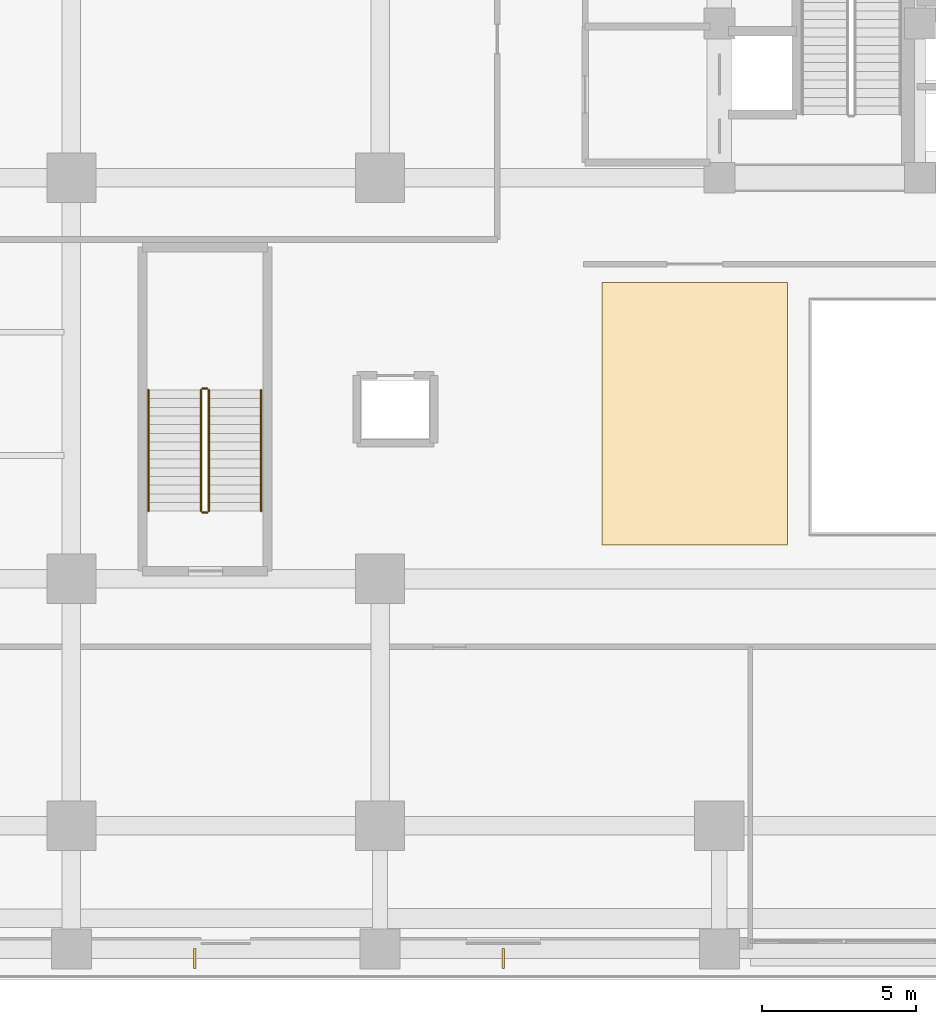
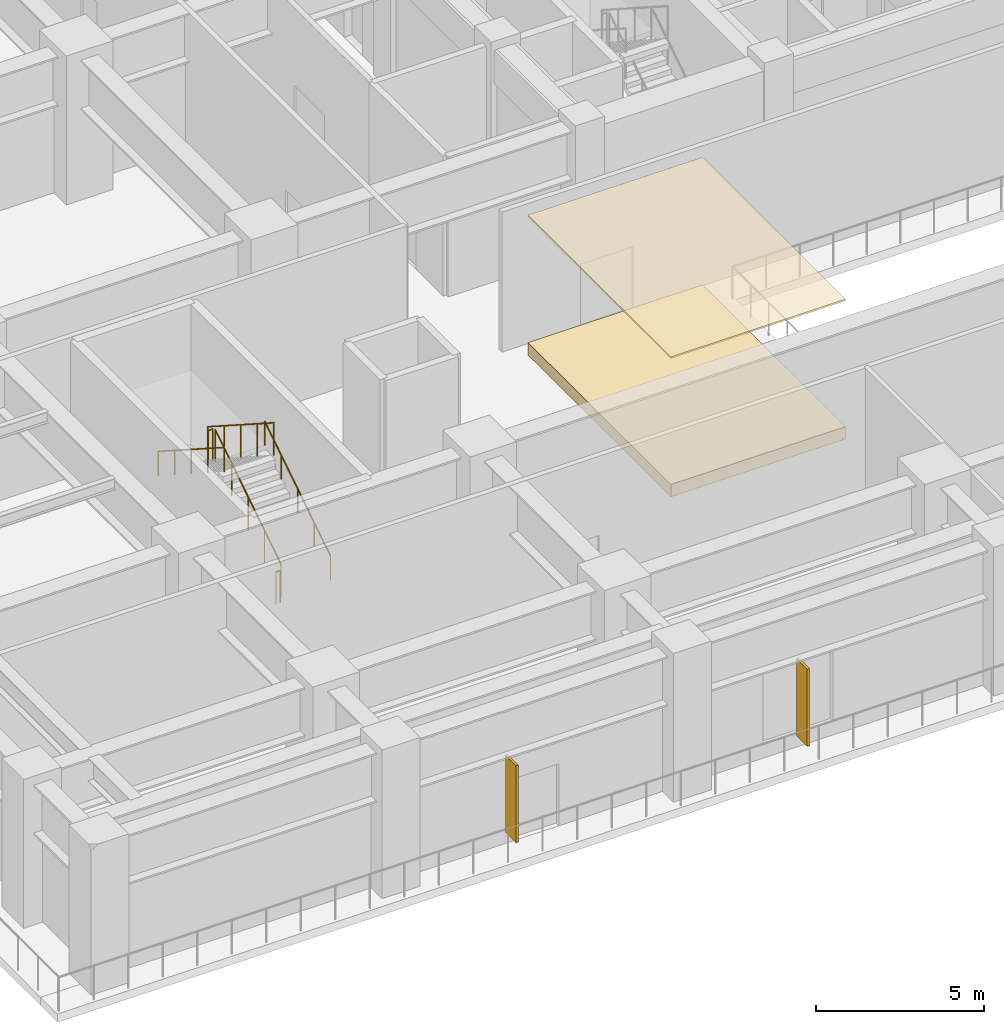
# One storey, part 22 of 28: 6 railings, 2 coverings, 2 shading devices.
"""IFC4 building model written with IfcOpenShell, lengths in metres."""

from ifc_helpers import new_model, si_unit, direction, frame, origin, origin_2d, place, context, subcontext, project, spatial, polyline, rectangle, circle, outline, extrude, source, transform, mapped, material, layer, layer_set, type_object, element, save


model = new_model("IFC4")

# Units and contexts
model_context = context("Model", 3, precision=1e-05, world=origin(), true_north=direction((0.0, 1.0)))
body_context = subcontext(model_context, "Body", "Model", "MODEL_VIEW")
ifc_project = project(units=[si_unit("LENGTHUNIT", "METRE"), si_unit("AREAUNIT", "SQUARE_METRE"), si_unit("VOLUMEUNIT", "CUBIC_METRE"), si_unit("PLANEANGLEUNIT", "RADIAN"), si_unit("MASSUNIT", "GRAM", prefix="KILO")], contexts=[model_context])

# Site, building, storey
site_placement = place(None, origin())
site = spatial("IfcSite", under=ifc_project, at=site_placement, CompositionType="ELEMENT")
building_placement = place(site_placement, origin())
building = spatial("IfcBuilding", under=site, at=building_placement, Name="Khorayat Bourse Tower", CompositionType="ELEMENT")
storey_placement = place(building_placement, frame((0.0, 0.0, 12.0)))
storey = spatial("IfcBuildingStorey", under=building, at=storey_placement, Name="L02", CompositionType="ELEMENT", Elevation=12.0)

# Coverings
ifc_material_1 = material(Name="Perforated aluminium acoustic ceiling", Category="aluminium")
ifc_layer_1 = layer(ifc_material_1, 0.06005859375)
ifc_layer_set_1 = layer_set([ifc_layer_1], Name="Perforated aluminium acoustic ceiling")
covering_type_1 = type_object("IfcCoveringType", Name="COV-CEIL-BAFFLE", PredefinedType="CEILING", material=ifc_layer_set_1)
covering_1_placement = place(storey_placement, frame((0.0, 0.0, 5.02001953125)))
element("IfcCovering", 1, at=covering_1_placement, inside=storey, type_object=covering_type_1, Name="L02 Suspended Ceiling 1", PredefinedType="CEILING", context=body_context, shape_type="SweptSolid", body=[
    extrude(outline(polyline([(-14.800048828125, -22.89990234375), (-8.800048828125, -22.89990234375), (-8.800048828125, -14.39990234375), (-14.800048828125, -14.39990234375), (-14.800048828125, -22.89990234375)])), origin(), (0.0, 0.0, 1.0), 0.06005859375),
])
ifc_material_2 = material(Name="Calcium-sulphate raised access floor")
ifc_layer_2 = layer(ifc_material_2, 0.449951171875)
ifc_layer_set_2 = layer_set([ifc_layer_2], Name="Calcium-sulphate raised access floor")
covering_type_2 = type_object("IfcCoveringType", Name="COV-RAF-TRADING", PredefinedType="FLOORING", material=ifc_layer_set_2)
covering_2_placement = place(storey_placement, origin())
element("IfcCovering", 2, at=covering_2_placement, inside=storey, type_object=covering_type_2, Name="L02 Raised Access Floor 1", PredefinedType="FLOORING", context=body_context, shape_type="SweptSolid", body=[
    extrude(outline(polyline([(-14.800048828125, -22.89990234375), (-8.800048828125, -22.89990234375), (-8.800048828125, -14.39990234375), (-14.800048828125, -14.39990234375), (-14.800048828125, -22.89990234375)])), origin(), (0.0, 0.0, 1.0), 0.449951171875),
])

# Shading devices
ifc_material_3 = material(Name="Anodised champagne aluminium", Category="aluminium")
ifc_layer_3 = layer(ifc_material_3, 0.080078125)
ifc_layer_set_3 = layer_set([ifc_layer_3], Name="Anodised champagne aluminium")
shading_device_type = type_object("IfcShadingDeviceType", Name="SHD-MASHRABIYA-FIN", PredefinedType="USERDEFINED", material=ifc_layer_set_3)
shared_shape_1 = source(origin(), body_context, "Body", "SweptSolid", [
    extrude(rectangle(XDim=0.080078125, YDim=0.64990234375, at=origin_2d()), origin(), (0.0, 0.0, 1.0), 2.800048828125),
])
for number, where, z_axis, x_axis, name in (
    (3, (-28.0, -36.300048828125, 0.39990234375), (0.0, 0.0, 1.0), (1.0, 0.0, 0.0), "L02 Mashrabiya Vertical Shading Fin 1"),
    (4, (-18.0, -36.300048828125, 0.39990234375), (0.0, 0.0, 1.0), (1.0, 0.0, 0.0), "L02 Mashrabiya Vertical Shading Fin 2"),
):
    element("IfcShadingDevice", number, at=place(storey_placement, frame(where, z_axis=z_axis, x_axis=x_axis)), inside=storey, type_object=shading_device_type, Name=name, ObjectType="FIN", PredefinedType="USERDEFINED", context=body_context, shape_type="MappedRepresentation", body=[
        mapped(shared_shape_1, transform((0.0, 0.0, 0.0), scale=1.0)),
    ])

# Railings
ifc_material_4 = material(Name="Powder-coated steel balustrade", Category="steel")
railing_type_1 = type_object("IfcRailingType", Name="RLG-GUARD-1200", PredefinedType="GUARDRAIL", material=ifc_material_4)
shared_shape_2 = source(origin(), body_context, "Body", "SweptSolid", [
    extrude(circle(Radius=0.02392578125, at=origin_2d()), frame((0.0, 0.0, 1.17578125), z_axis=(-1.0, 0.0, 0.0), x_axis=(0.0, -1.0, 0.0)), (0.0, 0.0, 1.0), 0.14990234375),
    extrude(circle(Radius=0.02099609375, at=origin_2d()), origin(), (0.0, 0.0, 1.0), 1.15185546875),
    extrude(circle(Radius=0.02099609375, at=origin_2d()), frame((-0.14990234375, 0.0, 0.0)), (0.0, 0.0, 1.0), 1.15185546875),
])
for number, where, name in (
    (5, (-27.60009765625, -17.830078125, 2.699951171875), "L02 ST-P1 stair guard 2"),
    (6, (-27.60009765625, -21.85009765625, 0.0), "L02 ST-P1 stair guard 4"),
):
    element("IfcRailing", number, at=place(storey_placement, frame(where)), inside=storey, type_object=railing_type_1, Name=name, PredefinedType="GUARDRAIL", context=body_context, shape_type="MappedRepresentation", body=[
        mapped(shared_shape_2, transform((0.0, 0.0, 0.0), scale=1.0)),
    ])
shared_shape_3 = source(origin(), body_context, "Body", "SweptSolid", [
    extrude(circle(Radius=0.02392578125, at=origin_2d()), frame((0.0, 0.0, 1.17578125), z_axis=(0.0, 0.841186985886, 0.540744352514), x_axis=(-1.0, 0.0, 0.0)), (0.0, 0.0, 1.0), 4.660400390625),
    extrude(circle(Radius=0.02099609375, at=origin_2d()), origin(), (0.0, 0.0, 1.0), 1.15185546875),
    extrude(circle(Radius=0.02099609375, at=origin_2d()), frame((0.0, 0.97998046875, 0.6298828125)), (0.0, 0.0, 1.0), 1.15185546875),
    extrude(circle(Radius=0.02099609375, at=origin_2d()), frame((0.0, 1.9599609375, 1.260009765625)), (0.0, 0.0, 1.0), 1.15185546875),
    extrude(circle(Radius=0.02099609375, at=origin_2d()), frame((0.0, 2.940185546875, 1.89013671875)), (0.0, 0.0, 1.0), 1.15185546875),
    extrude(circle(Radius=0.02099609375, at=origin_2d()), frame((0.0, 3.920166015625, 2.52001953125)), (0.0, 0.0, 1.0), 1.15185546875),
])
railing_1_placement = place(storey_placement, frame((-27.550048828125, -21.800048828125, 0.179931640625)))
element("IfcRailing", 7, at=railing_1_placement, inside=storey, type_object=railing_type_1, Name="L02 ST-P1 stair guard 1", PredefinedType="GUARDRAIL", context=body_context, shape_type="MappedRepresentation", body=[
    mapped(shared_shape_3, transform((0.0, 0.0, 0.0), scale=1.0)),
])
shared_shape_4 = source(origin(), body_context, "Body", "SweptSolid", [
    extrude(circle(Radius=0.02392578125, at=origin_2d()), frame((0.0, 0.0, 1.17578125), z_axis=(0.0, -0.841186985886, 0.540744352514), x_axis=(1.0, 0.0, 0.0)), (0.0, 0.0, 1.0), 4.660400390625),
    extrude(circle(Radius=0.02099609375, at=origin_2d()), origin(), (0.0, 0.0, 1.0), 1.15185546875),
    extrude(circle(Radius=0.02099609375, at=origin_2d()), frame((0.0, -0.97998046875, 0.6298828125)), (0.0, 0.0, 1.0), 1.15185546875),
    extrude(circle(Radius=0.02099609375, at=origin_2d()), frame((0.0, -1.9599609375, 1.260009765625)), (0.0, 0.0, 1.0), 1.15185546875),
    extrude(circle(Radius=0.02099609375, at=origin_2d()), frame((0.0, -2.940185546875, 1.89013671875)), (0.0, 0.0, 1.0), 1.15185546875),
    extrude(circle(Radius=0.02099609375, at=origin_2d()), frame((0.0, -3.920166015625, 2.52001953125)), (0.0, 0.0, 1.0), 1.15185546875),
])
railing_2_placement = place(storey_placement, frame((-27.800048828125, -17.8798828125, 2.8798828125)))
element("IfcRailing", 8, at=railing_2_placement, inside=storey, type_object=railing_type_1, Name="L02 ST-P1 stair guard 3", PredefinedType="GUARDRAIL", context=body_context, shape_type="MappedRepresentation", body=[
    mapped(shared_shape_4, transform((0.0, 0.0, 0.0), scale=1.0)),
])
ifc_material_5 = material(Name="Brushed bronze stainless-steel handrail", Category="steel")
railing_type_2 = type_object("IfcRailingType", Name="RLG-HAND-900", PredefinedType="HANDRAIL", material=ifc_material_5)
shared_shape_5 = source(origin(), body_context, "Body", "SweptSolid", [
    extrude(circle(Radius=0.02392578125, at=origin_2d()), frame((0.0, 0.0, 0.8759765625), z_axis=(0.0, 0.841186985886, 0.540744352514), x_axis=(-1.0, 0.0, 0.0)), (0.0, 0.0, 1.0), 4.660400390625),
    extrude(circle(Radius=0.02099609375, at=origin_2d()), origin(), (0.0, 0.0, 1.0), 0.851806640625),
    extrude(circle(Radius=0.02099609375, at=origin_2d()), frame((0.0, 0.97998046875, 0.6298828125)), (0.0, 0.0, 1.0), 0.851806640625),
    extrude(circle(Radius=0.02099609375, at=origin_2d()), frame((0.0, 1.9599609375, 1.260009765625)), (0.0, 0.0, 1.0), 0.851806640625),
    extrude(circle(Radius=0.02099609375, at=origin_2d()), frame((0.0, 2.940185546875, 1.89013671875)), (0.0, 0.0, 1.0), 0.851806640625),
    extrude(circle(Radius=0.02099609375, at=origin_2d()), frame((0.0, 3.920166015625, 2.52001953125)), (0.0, 0.0, 1.0), 0.851806640625),
])
railing_3_placement = place(storey_placement, frame((-25.85009765625, -21.800048828125, 0.179931640625)))
element("IfcRailing", 9, at=railing_3_placement, inside=storey, type_object=railing_type_2, Name="L02 ST-P1 stair handrail 1", PredefinedType="HANDRAIL", context=body_context, shape_type="MappedRepresentation", body=[
    mapped(shared_shape_5, transform((0.0, 0.0, 0.0), scale=1.0)),
])
shared_shape_6 = source(origin(), body_context, "Body", "SweptSolid", [
    extrude(circle(Radius=0.02392578125, at=origin_2d()), frame((0.0, 0.0, 0.8759765625), z_axis=(0.0, -0.841186985886, 0.540744352514), x_axis=(1.0, 0.0, 0.0)), (0.0, 0.0, 1.0), 4.660400390625),
    extrude(circle(Radius=0.02099609375, at=origin_2d()), origin(), (0.0, 0.0, 1.0), 0.851806640625),
    extrude(circle(Radius=0.02099609375, at=origin_2d()), frame((0.0, -0.97998046875, 0.6298828125)), (0.0, 0.0, 1.0), 0.851806640625),
    extrude(circle(Radius=0.02099609375, at=origin_2d()), frame((0.0, -1.9599609375, 1.260009765625)), (0.0, 0.0, 1.0), 0.851806640625),
    extrude(circle(Radius=0.02099609375, at=origin_2d()), frame((0.0, -2.940185546875, 1.89013671875)), (0.0, 0.0, 1.0), 0.851806640625),
    extrude(circle(Radius=0.02099609375, at=origin_2d()), frame((0.0, -3.920166015625, 2.52001953125)), (0.0, 0.0, 1.0), 0.851806640625),
])
railing_4_placement = place(storey_placement, frame((-29.5, -17.8798828125, 2.8798828125)))
element("IfcRailing", 10, at=railing_4_placement, inside=storey, type_object=railing_type_2, Name="L02 ST-P1 stair handrail 2", PredefinedType="HANDRAIL", context=body_context, shape_type="MappedRepresentation", body=[
    mapped(shared_shape_6, transform((0.0, 0.0, 0.0), scale=1.0)),
])

save(model, "model.ifc")
